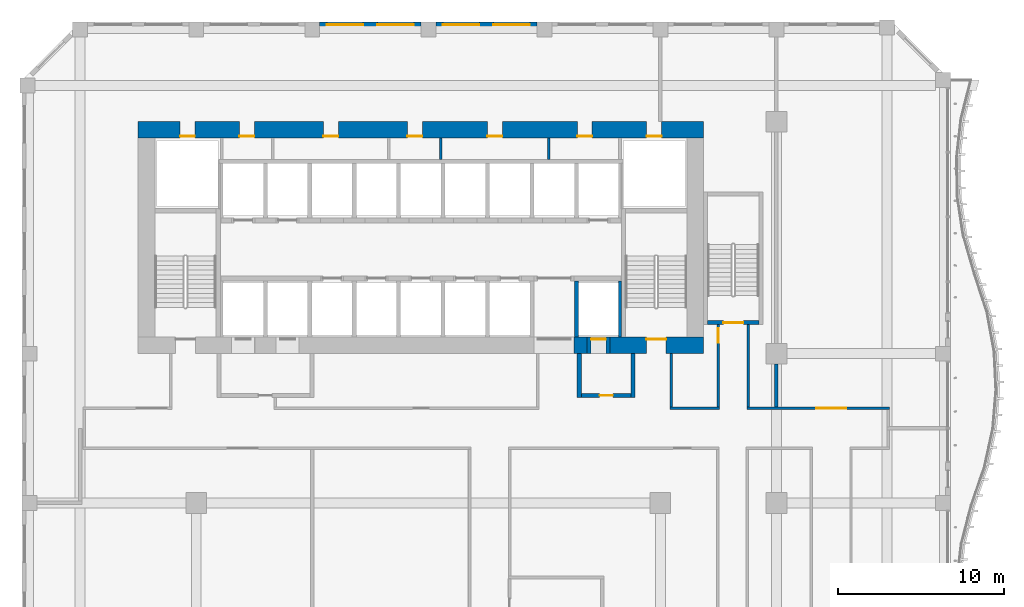
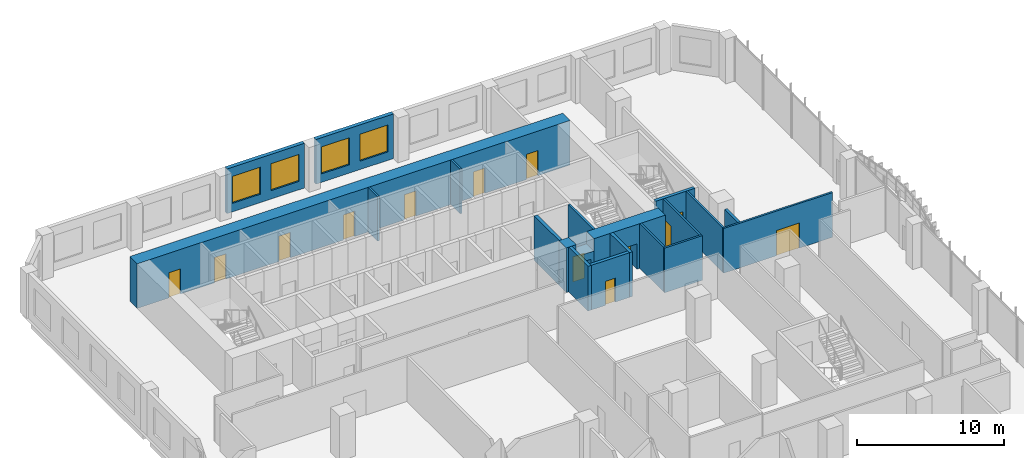
# One storey, part 17 of 28: 20 walls, 13 doors, 4 windows, 17 openings.
"""IFC4 building model written with IfcOpenShell, lengths in metres."""

from ifc_helpers import new_model, si_unit, direction, frame, frame_2d, origin, place, context, subcontext, project, spatial, rectangle, extrude, source, transform, mapped, material, layer, layer_set, type_object, element, fill, save


model = new_model("IFC4")

# Units and contexts
model_context = context("Model", 3, precision=1e-05, world=origin(), true_north=direction((0.0, 1.0)))
body_context = subcontext(model_context, "Body", "Model", "MODEL_VIEW")
ifc_project = project(units=[si_unit("LENGTHUNIT", "METRE"), si_unit("AREAUNIT", "SQUARE_METRE"), si_unit("VOLUMEUNIT", "CUBIC_METRE"), si_unit("PLANEANGLEUNIT", "RADIAN"), si_unit("MASSUNIT", "GRAM", prefix="KILO")], contexts=[model_context])

# Site, building, storey
site_placement = place(None, origin())
site = spatial("IfcSite", under=ifc_project, at=site_placement, CompositionType="ELEMENT")
building_placement = place(site_placement, origin())
building = spatial("IfcBuilding", under=site, at=building_placement, Name="Kilnfold Tower and Market Hall", CompositionType="ELEMENT")
storey_placement = place(building_placement, frame((0.0, 0.0, 75.199951171875)))
storey = spatial("IfcBuildingStorey", under=building, at=storey_placement, Name="L17", CompositionType="ELEMENT", Elevation=75.199951171875)

# Walls
ifc_material_1 = material(Name="Gypsum board on steel studs", Category="steel")
ifc_layer_1 = layer(ifc_material_1, 0.14990234375)
ifc_layer_set_1 = layer_set([ifc_layer_1], Name="Gypsum board on steel studs")
wall_type_1 = type_object("IfcWallType", Name="WALL CORRIDOR 150", PredefinedType="PARTITIONING", material=ifc_layer_set_1)
wall_1_placement = place(storey_placement, frame((16.14990234375, 4.77490234375, 0.0), z_axis=(0.0, 0.0, 1.0), x_axis=(0.0, 1.0, 0.0)))
element("IfcWall", 1, at=wall_1_placement, inside=storey, type_object=wall_type_1, Name="Partition LY13.25", PredefinedType="PARTITIONING", context=body_context, shape_type="SweptSolid", body=[
    extrude(rectangle(XDim=3.22509765625, YDim=0.14990234375, at=frame_2d((1.612548828125, 0.0))), origin(), (0.0, 0.0, 1.0), 3.719970703125),
])
wall_2_placement = place(storey_placement, frame((16.074951171875, 4.699951171875, 0.0), z_axis=(0.0, 0.0, 1.0), x_axis=(1.0, 0.0, 0.0)))
element("IfcWall", 2, at=wall_2_placement, inside=storey, type_object=wall_type_1, Name="Partition LY13.26", PredefinedType="PARTITIONING", context=body_context, shape_type="SweptSolid", body=[
    extrude(rectangle(XDim=3.0, YDim=0.14990234375, at=frame_2d((1.5, 0.0))), origin(), (0.0, 0.0, 1.0), 3.719970703125),
])

# Wall, opening, door
wall_3_placement = place(storey_placement, frame((19.0, 9.75, 0.0), z_axis=(0.0, 0.0, 1.0), x_axis=(0.0, -1.0, 0.0)))
wall_3 = element("IfcWall", 3, at=wall_3_placement, inside=storey, type_object=wall_type_1, Name="Partition LY13.27", PredefinedType="PARTITIONING", context=body_context, shape_type="SweptSolid", body=[
    extrude(rectangle(XDim=4.97509765625, YDim=0.14990234375, at=frame_2d((2.487548828125, 0.0))), origin(), (0.0, 0.0, 1.0), 3.719970703125),
])
opening_1_placement = place(wall_3_placement, frame((0.199951171875, 0.0, 0.0)))
opening_1 = element("IfcOpeningElement", 4, at=opening_1_placement, cuts=wall_3, Name="Opening D2", PredefinedType="OPENING", context=body_context, shape_type="SweptSolid", body=[
    extrude(rectangle(XDim=0.89990234375, YDim=2.10009765625, at=frame_2d((0.449951171875, 1.050048828125))), frame((0.0, 0.0849609375, 0.0), z_axis=(0.0, -1.0, 0.0), x_axis=(1.0, 0.0, 0.0)), (0.0, 0.0, 1.0), 0.169921875),
])
ifc_material_2 = material(Name="Timber veneer door leaf in steel frame", Category="steel")
door_type_1 = type_object("IfcDoorType", Name="DOOR ROOM 900 X2100", OperationType="NOTDEFINED", PredefinedType="DOOR", material=ifc_material_2)
door_1_placement = place(opening_1_placement, origin())
door_1 = element("IfcDoor", 5, at=door_1_placement, inside=storey, type_object=door_type_1, Name="Door D2", OperationType="SINGLE_SWING_LEFT", OverallHeight=2.10009765625, OverallWidth=0.89990234375, PredefinedType="DOOR", context=body_context, shape_type="SweptSolid", body=[
    extrude(rectangle(XDim=0.89990234375, YDim=2.10009765625, at=frame_2d((0.449951171875, 1.050048828125))), frame((0.0, 0.02490234375, 0.0), z_axis=(0.0, -1.0, 0.0), x_axis=(1.0, 0.0, 0.0)), (0.0, 0.0, 1.0), 0.050048828125),
])
fill(opening_1, door_1)

# Wall
wall_4_placement = place(storey_placement, frame((20.800048828125, 4.77490234375, 0.0), z_axis=(0.0, 0.0, 1.0), x_axis=(0.0, 1.0, 0.0)))
element("IfcWall", 6, at=wall_4_placement, inside=storey, type_object=wall_type_1, Name="Partition LY13.28", PredefinedType="PARTITIONING", context=body_context, shape_type="SweptSolid", body=[
    extrude(rectangle(XDim=4.97509765625, YDim=0.14990234375, at=frame_2d((2.487548828125, 0.0))), origin(), (0.0, 0.0, 1.0), 3.719970703125),
])

# Wall, opening, door
wall_5_placement = place(storey_placement, frame((20.72509765625, 4.699951171875, 0.0), z_axis=(0.0, 0.0, 1.0), x_axis=(1.0, 0.0, 0.0)))
wall_5 = element("IfcWall", 7, at=wall_5_placement, inside=storey, type_object=wall_type_1, Name="Partition LY13.29", PredefinedType="PARTITIONING", context=body_context, shape_type="SweptSolid", body=[
    extrude(rectangle(XDim=8.599853515625, YDim=0.14990234375, at=frame_2d((4.2998046875, 0.0))), origin(), (0.0, 0.0, 1.0), 3.719970703125),
])
opening_2_placement = place(wall_5_placement, frame((4.181884765625, 0.0, 0.0)))
opening_2 = element("IfcOpeningElement", 8, at=opening_2_placement, cuts=wall_5, Name="Opening D5", PredefinedType="OPENING", context=body_context, shape_type="SweptSolid", body=[
    extrude(rectangle(XDim=1.800048828125, YDim=2.10009765625, at=frame_2d((0.89990234375, 1.050048828125))), frame((0.0, 0.0849609375, 0.0), z_axis=(0.0, -1.0, 0.0), x_axis=(1.0, 0.0, 0.0)), (0.0, 0.0, 1.0), 0.169921875),
])
ifc_material_3 = material(Name="Timber veneer door leaf in steel frame", Category="steel")
door_type_2 = type_object("IfcDoorType", Name="DOOR DOUBLE 1800 X2100", OperationType="NOTDEFINED", PredefinedType="DOOR", material=ifc_material_3)
door_2_placement = place(opening_2_placement, origin())
door_2 = element("IfcDoor", 9, at=door_2_placement, inside=storey, type_object=door_type_2, Name="Door D5", OperationType="DOUBLE_DOOR_SINGLE_SWING", OverallHeight=2.10009765625, OverallWidth=1.800048828125, PredefinedType="DOOR", context=body_context, shape_type="SweptSolid", body=[
    extrude(rectangle(XDim=1.800048828125, YDim=2.10009765625, at=frame_2d((0.89990234375, 1.050048828125))), frame((0.0, 0.02490234375, 0.0), z_axis=(0.0, -1.0, 0.0), x_axis=(1.0, 0.0, 0.0)), (0.0, 0.0, 1.0), 0.050048828125),
])
fill(opening_2, door_2)

# Walls
ifc_material_4 = material(Name="Gypsum board on steel studs", Category="steel")
ifc_layer_2 = layer(ifc_material_4, 0.199951171875)
ifc_layer_set_2 = layer_set([ifc_layer_2], Name="Gypsum board on steel studs")
wall_type_2 = type_object("IfcWallType", Name="WALL PARTY 200", PredefinedType="PARTITIONING", material=ifc_layer_set_2)
wall_6_placement = place(storey_placement, frame((22.5, 4.77587890625, 0.0), z_axis=(0.0, 0.0, 1.0), x_axis=(0.0, 1.0, 0.0)))
element("IfcWall", 10, at=wall_6_placement, inside=storey, type_object=wall_type_2, Name="Partition LY13.59", PredefinedType="PARTITIONING", context=body_context, shape_type="SweptSolid", body=[
    extrude(rectangle(XDim=2.59912109375, YDim=0.199951171875, at=frame_2d((1.299560546875, 0.0))), origin(), (0.0, 0.0, 1.0), 3.070068359375),
])
ifc_material_5 = material(Name="Concrete C80", Category="concrete")
ifc_layer_3 = layer(ifc_material_5, 1.0)
ifc_layer_set_3 = layer_set([ifc_layer_3], Name="Concrete C80")
wall_type_3 = type_object("IfcWallType", Name="CORE WALL 1000 C80", PredefinedType="SHEAR", material=ifc_layer_set_3)
shared_shape_1 = source(origin(), body_context, "Body", "SweptSolid", [
    extrude(rectangle(XDim=0.780029296875, YDim=1.0, at=frame_2d((0.39013671875, 0.0))), origin(), (0.0, 0.0, 1.0), 3.719970703125),
])
wall_7_placement = place(storey_placement, frame((10.2900390625, 8.5, 0.0), z_axis=(0.0, 0.0, 1.0), x_axis=(1.0, 0.0, 0.0)))
element("IfcWall", 11, at=wall_7_placement, inside=storey, type_object=wall_type_3, Name="Core outer wall south", PredefinedType="SHEAR", context=body_context, shape_type="MappedRepresentation", body=[
    mapped(shared_shape_1, transform((0.0, 0.0, 0.0))),
])

# Wall, opening, door
shared_shape_2 = source(origin(), body_context, "Body", "SweptSolid", [
    extrude(rectangle(XDim=5.630126953125, YDim=1.0, at=frame_2d((2.81494140625, 0.0))), origin(), (0.0, 0.0, 1.0), 3.719970703125),
])
wall_8_placement = place(storey_placement, frame((12.469970703125, 8.5, 0.0), z_axis=(0.0, 0.0, 1.0), x_axis=(1.0, 0.0, 0.0)))
wall_8 = element("IfcWall", 12, at=wall_8_placement, inside=storey, type_object=wall_type_3, Name="Core outer wall south", PredefinedType="SHEAR", context=body_context, shape_type="MappedRepresentation", body=[
    mapped(shared_shape_2, transform((0.0, 0.0, 0.0))),
])
opening_3_placement = place(wall_8_placement, frame((2.179931640625, 0.0, 0.0)))
opening_3 = element("IfcOpeningElement", 13, at=opening_3_placement, cuts=wall_8, Name="Opening SD1", PredefinedType="OPENING", context=body_context, shape_type="SweptSolid", body=[
    extrude(rectangle(XDim=1.199951171875, YDim=2.10009765625, at=frame_2d((0.60009765625, 1.050048828125))), frame((0.0, 0.510009765625, 0.0), z_axis=(0.0, -1.0, 0.0), x_axis=(1.0, 0.0, 0.0)), (0.0, 0.0, 1.0), 1.02001953125),
])
ifc_material_6 = material(Name="Steel door set with fire-resisting leaf", Category="steel")
door_type_3 = type_object("IfcDoorType", Name="STAIR FLOOR DOOR 1200X2100", OperationType="NOTDEFINED", PredefinedType="DOOR", material=ifc_material_6)
door_3_placement = place(opening_3_placement, origin())
door_3 = element("IfcDoor", 14, at=door_3_placement, inside=storey, type_object=door_type_3, Name="Exit stair ST2 door", OperationType="DOUBLE_DOOR_SINGLE_SWING", OverallHeight=2.10009765625, OverallWidth=1.199951171875, PredefinedType="DOOR", context=body_context, shape_type="SweptSolid", body=[
    extrude(rectangle(XDim=1.199951171875, YDim=2.10009765625, at=frame_2d((0.60009765625, 1.050048828125))), frame((0.0, 0.40478515625, 0.0), z_axis=(0.0, -1.0, 0.0), x_axis=(1.0, 0.0, 0.0)), (0.0, 0.0, 1.0), 0.050048828125),
])
fill(opening_3, door_3)

# Wall, openings, doors
shared_shape_3 = source(origin(), body_context, "Body", "SweptSolid", [
    extrude(rectangle(XDim=34.10009765625, YDim=1.0, at=frame_2d((17.050048828125, 0.0))), origin(), (0.0, 0.0, 1.0), 3.719970703125),
])
wall_9_placement = place(storey_placement, frame((-16.0, 21.5, 0.0), z_axis=(0.0, 0.0, 1.0), x_axis=(1.0, 0.0, 0.0)))
wall_9 = element("IfcWall", 15, at=wall_9_placement, inside=storey, type_object=wall_type_3, Name="Core outer wall north", PredefinedType="SHEAR", context=body_context, shape_type="MappedRepresentation", body=[
    mapped(shared_shape_3, transform((0.0, 0.0, 0.0))),
])
opening_4_placement = place(wall_9_placement, frame((6.10791015625, 0.0, 0.0)))
opening_4 = element("IfcOpeningElement", 16, at=opening_4_placement, cuts=wall_9, Name="Opening KD1", PredefinedType="OPENING", context=body_context, shape_type="SweptSolid", body=[
    extrude(rectangle(XDim=0.89990234375, YDim=2.10009765625, at=frame_2d((0.449951171875, 1.050048828125))), frame((0.0, 0.510009765625, 0.0), z_axis=(0.0, -1.0, 0.0), x_axis=(1.0, 0.0, 0.0)), (0.0, 0.0, 1.0), 1.02001953125),
])
opening_5_placement = place(wall_9_placement, frame((11.173095703125, 0.0, 0.0)))
opening_5 = element("IfcOpeningElement", 17, at=opening_5_placement, cuts=wall_9, Name="Opening KD1", PredefinedType="OPENING", context=body_context, shape_type="SweptSolid", body=[
    extrude(rectangle(XDim=0.89990234375, YDim=2.10009765625, at=frame_2d((0.449951171875, 1.050048828125))), frame((0.0, 0.510009765625, 0.0), z_axis=(0.0, -1.0, 0.0), x_axis=(1.0, 0.0, 0.0)), (0.0, 0.0, 1.0), 1.02001953125),
])
opening_6_placement = place(wall_9_placement, frame((16.23828125, 0.0, 0.0)))
opening_6 = element("IfcOpeningElement", 18, at=opening_6_placement, cuts=wall_9, Name="Opening KD1", PredefinedType="OPENING", context=body_context, shape_type="SweptSolid", body=[
    extrude(rectangle(XDim=0.89990234375, YDim=2.10009765625, at=frame_2d((0.449951171875, 1.050048828125))), frame((0.0, 0.510009765625, 0.0), z_axis=(0.0, -1.0, 0.0), x_axis=(1.0, 0.0, 0.0)), (0.0, 0.0, 1.0), 1.02001953125),
])
opening_7_placement = place(wall_9_placement, frame((21.062255859375, 0.0, 0.0)))
opening_7 = element("IfcOpeningElement", 19, at=opening_7_placement, cuts=wall_9, Name="Opening KD1", PredefinedType="OPENING", context=body_context, shape_type="SweptSolid", body=[
    extrude(rectangle(XDim=0.89990234375, YDim=2.10009765625, at=frame_2d((0.449951171875, 1.050048828125))), frame((0.0, 0.510009765625, 0.0), z_axis=(0.0, -1.0, 0.0), x_axis=(1.0, 0.0, 0.0)), (0.0, 0.0, 1.0), 1.02001953125),
])
opening_8_placement = place(wall_9_placement, frame((26.4892578125, 0.0, 0.0)))
opening_8 = element("IfcOpeningElement", 20, at=opening_8_placement, cuts=wall_9, Name="Opening KD1", PredefinedType="OPENING", context=body_context, shape_type="SweptSolid", body=[
    extrude(rectangle(XDim=0.89990234375, YDim=2.10009765625, at=frame_2d((0.449951171875, 1.050048828125))), frame((0.0, 0.510009765625, 0.0), z_axis=(0.0, -1.0, 0.0), x_axis=(1.0, 0.0, 0.0)), (0.0, 0.0, 1.0), 1.02001953125),
])
opening_9_placement = place(wall_9_placement, frame((2.52490234375, 0.0, 0.0)))
opening_9 = element("IfcOpeningElement", 21, at=opening_9_placement, cuts=wall_9, Name="Opening KD1", PredefinedType="OPENING", context=body_context, shape_type="SweptSolid", body=[
    extrude(rectangle(XDim=0.89990234375, YDim=2.10009765625, at=frame_2d((0.449951171875, 1.050048828125))), frame((0.0, 0.510009765625, 0.0), z_axis=(0.0, -1.0, 0.0), x_axis=(1.0, 0.0, 0.0)), (0.0, 0.0, 1.0), 1.02001953125),
])
opening_10_placement = place(wall_9_placement, frame((30.675048828125, 0.0, 0.0)))
opening_10 = element("IfcOpeningElement", 22, at=opening_10_placement, cuts=wall_9, Name="Opening KD1", PredefinedType="OPENING", context=body_context, shape_type="SweptSolid", body=[
    extrude(rectangle(XDim=0.89990234375, YDim=2.10009765625, at=frame_2d((0.449951171875, 1.050048828125))), frame((0.0, 0.510009765625, 0.0), z_axis=(0.0, -1.0, 0.0), x_axis=(1.0, 0.0, 0.0)), (0.0, 0.0, 1.0), 1.02001953125),
])
ifc_material_7 = material(Name="Steel door set with fire-resisting leaf", Category="steel")
door_type_4 = type_object("IfcDoorType", Name="SERVICE DOOR 900X2100", OperationType="NOTDEFINED", PredefinedType="DOOR", material=ifc_material_7)
door_4_placement = place(opening_4_placement, origin())
door_4 = element("IfcDoor", 23, at=door_4_placement, inside=storey, type_object=door_type_4, Name="Core service door", OperationType="SINGLE_SWING_RIGHT", OverallHeight=2.10009765625, OverallWidth=0.89990234375, PredefinedType="DOOR", context=body_context, shape_type="SweptSolid", body=[
    extrude(rectangle(XDim=0.89990234375, YDim=2.10009765625, at=frame_2d((0.449951171875, 1.050048828125))), frame((0.0, -0.35498046875, 0.0), z_axis=(0.0, -1.0, 0.0), x_axis=(1.0, 0.0, 0.0)), (0.0, 0.0, 1.0), 0.050048828125),
])
fill(opening_4, door_4)
door_5_placement = place(opening_5_placement, origin())
door_5 = element("IfcDoor", 24, at=door_5_placement, inside=storey, type_object=door_type_4, Name="Core service door", OperationType="SINGLE_SWING_LEFT", OverallHeight=2.10009765625, OverallWidth=0.89990234375, PredefinedType="DOOR", context=body_context, shape_type="SweptSolid", body=[
    extrude(rectangle(XDim=0.89990234375, YDim=2.10009765625, at=frame_2d((0.449951171875, 1.050048828125))), frame((0.0, -0.35498046875, 0.0), z_axis=(0.0, -1.0, 0.0), x_axis=(1.0, 0.0, 0.0)), (0.0, 0.0, 1.0), 0.050048828125),
])
fill(opening_5, door_5)
door_6_placement = place(opening_6_placement, origin())
door_6 = element("IfcDoor", 25, at=door_6_placement, inside=storey, type_object=door_type_4, Name="Core service door", OperationType="SINGLE_SWING_RIGHT", OverallHeight=2.10009765625, OverallWidth=0.89990234375, PredefinedType="DOOR", context=body_context, shape_type="SweptSolid", body=[
    extrude(rectangle(XDim=0.89990234375, YDim=2.10009765625, at=frame_2d((0.449951171875, 1.050048828125))), frame((0.0, -0.35498046875, 0.0), z_axis=(0.0, -1.0, 0.0), x_axis=(1.0, 0.0, 0.0)), (0.0, 0.0, 1.0), 0.050048828125),
])
fill(opening_6, door_6)
door_7_placement = place(opening_7_placement, origin())
door_7 = element("IfcDoor", 26, at=door_7_placement, inside=storey, type_object=door_type_4, Name="Core service door", OperationType="SINGLE_SWING_LEFT", OverallHeight=2.10009765625, OverallWidth=0.89990234375, PredefinedType="DOOR", context=body_context, shape_type="SweptSolid", body=[
    extrude(rectangle(XDim=0.89990234375, YDim=2.10009765625, at=frame_2d((0.449951171875, 1.050048828125))), frame((0.0, -0.35498046875, 0.0), z_axis=(0.0, -1.0, 0.0), x_axis=(1.0, 0.0, 0.0)), (0.0, 0.0, 1.0), 0.050048828125),
])
fill(opening_7, door_7)
door_8_placement = place(opening_8_placement, origin())
door_8 = element("IfcDoor", 27, at=door_8_placement, inside=storey, type_object=door_type_4, Name="Core service door", OperationType="SINGLE_SWING_RIGHT", OverallHeight=2.10009765625, OverallWidth=0.89990234375, PredefinedType="DOOR", context=body_context, shape_type="SweptSolid", body=[
    extrude(rectangle(XDim=0.89990234375, YDim=2.10009765625, at=frame_2d((0.449951171875, 1.050048828125))), frame((0.0, -0.35498046875, 0.0), z_axis=(0.0, -1.0, 0.0), x_axis=(1.0, 0.0, 0.0)), (0.0, 0.0, 1.0), 0.050048828125),
])
fill(opening_8, door_8)
door_9_placement = place(opening_9_placement, origin())
door_9 = element("IfcDoor", 28, at=door_9_placement, inside=storey, type_object=door_type_4, Name="Electrical riser access door", OperationType="SINGLE_SWING_LEFT", OverallHeight=2.10009765625, OverallWidth=0.89990234375, PredefinedType="DOOR", context=body_context, shape_type="SweptSolid", body=[
    extrude(rectangle(XDim=0.89990234375, YDim=2.10009765625, at=frame_2d((0.449951171875, 1.050048828125))), frame((0.0, -0.35498046875, 0.0), z_axis=(0.0, -1.0, 0.0), x_axis=(1.0, 0.0, 0.0)), (0.0, 0.0, 1.0), 0.050048828125),
])
fill(opening_9, door_9)
door_10_placement = place(opening_10_placement, origin())
door_10 = element("IfcDoor", 29, at=door_10_placement, inside=storey, type_object=door_type_4, Name="Mechanical riser access door", OperationType="SINGLE_SWING_RIGHT", OverallHeight=2.10009765625, OverallWidth=0.89990234375, PredefinedType="DOOR", context=body_context, shape_type="SweptSolid", body=[
    extrude(rectangle(XDim=0.89990234375, YDim=2.10009765625, at=frame_2d((0.449951171875, 1.050048828125))), frame((0.0, -0.35498046875, 0.0), z_axis=(0.0, -1.0, 0.0), x_axis=(1.0, 0.0, 0.0)), (0.0, 0.0, 1.0), 0.050048828125),
])
fill(opening_10, door_10)

# Wall, opening, door
ifc_material_8 = material(Name="Concrete C80", Category="concrete")
ifc_layer_4 = layer(ifc_material_8, 0.25)
ifc_layer_set_4 = layer_set([ifc_layer_4], Name="Concrete C80")
wall_type_4 = type_object("IfcWallType", Name="CORE WALL 250 C80", PredefinedType="SHEAR", material=ifc_layer_set_4)
shared_shape_4 = source(origin(), body_context, "Body", "SweptSolid", [
    extrude(rectangle(XDim=3.099853515625, YDim=0.25, at=frame_2d((1.5498046875, 0.0))), origin(), (0.0, 0.0, 1.0), 3.719970703125),
])
wall_10_placement = place(storey_placement, frame((18.35009765625, 9.875, 0.0), z_axis=(0.0, 0.0, 1.0), x_axis=(1.0, 0.0, 0.0)))
wall_10 = element("IfcWall", 30, at=wall_10_placement, inside=storey, type_object=wall_type_4, Name="Stair enclosure ST5", PredefinedType="SHEAR", context=body_context, shape_type="MappedRepresentation", body=[
    mapped(shared_shape_4, transform((0.0, 0.0, 0.0))),
])
opening_11_placement = place(wall_10_placement, frame((0.949951171875, 0.0, 0.0)))
opening_11 = element("IfcOpeningElement", 31, at=opening_11_placement, cuts=wall_10, Name="Opening SD1", PredefinedType="OPENING", context=body_context, shape_type="SweptSolid", body=[
    extrude(rectangle(XDim=1.199951171875, YDim=2.10009765625, at=frame_2d((0.60009765625, 1.050048828125))), frame((0.0, 0.135009765625, 0.0), z_axis=(0.0, -1.0, 0.0), x_axis=(1.0, 0.0, 0.0)), (0.0, 0.0, 1.0), 0.27001953125),
])
door_11_placement = place(opening_11_placement, origin())
door_11 = element("IfcDoor", 32, at=door_11_placement, inside=storey, type_object=door_type_3, Name="Exit stair ST5 door", OperationType="DOUBLE_DOOR_SINGLE_SWING", OverallHeight=2.10009765625, OverallWidth=1.199951171875, PredefinedType="DOOR", context=body_context, shape_type="SweptSolid", body=[
    extrude(rectangle(XDim=1.199951171875, YDim=2.10009765625, at=frame_2d((0.60009765625, 1.050048828125))), frame((0.0, 0.02490234375, 0.0), z_axis=(0.0, -1.0, 0.0), x_axis=(1.0, 0.0, 0.0)), (0.0, 0.0, 1.0), 0.050048828125),
])
fill(opening_11, door_11)

# Wall, openings, windows
ifc_material_9 = material(Name="Precast concrete C50/60", Category="concrete")
ifc_layer_5 = layer(ifc_material_9, 0.300048828125)
ifc_layer_set_5 = layer_set([ifc_layer_5], Name="Precast concrete C50/60")
wall_type_5 = type_object("IfcWallType", Name="PRECAST WALL 300", PredefinedType="SOLIDWALL", material=ifc_layer_set_5)
shared_shape_5 = source(origin(), body_context, "Body", "SweptSolid", [
    extrude(rectangle(XDim=6.10009765625, YDim=0.300048828125, at=frame_2d((3.050048828125, 0.0))), origin(), (0.0, 0.0, 1.0), 3.719970703125),
])
wall_11_placement = place(storey_placement, frame((8.050048828125, 27.85009765625, 0.0), z_axis=(0.0, 0.0, 1.0), x_axis=(-1.0, 0.0, 0.0)))
wall_11 = element("IfcWall", 33, at=wall_11_placement, inside=storey, type_object=wall_type_5, Name="External wall L17 N", PredefinedType="SOLIDWALL", context=body_context, shape_type="MappedRepresentation", body=[
    mapped(shared_shape_5, transform((0.0, 0.0, 0.0))),
])
opening_12_placement = place(wall_11_placement, frame((0.425048828125, 0.0, 0.699951171875)))
opening_12 = element("IfcOpeningElement", 34, at=opening_12_placement, cuts=wall_11, Name="Opening W1", PredefinedType="OPENING", context=body_context, shape_type="SweptSolid", body=[
    extrude(rectangle(XDim=2.199951171875, YDim=2.25, at=frame_2d((1.10009765625, 1.125))), frame((0.0, 0.16015625, 0.0), z_axis=(0.0, -1.0, 0.0), x_axis=(1.0, 0.0, 0.0)), (0.0, 0.0, 1.0), 0.320068359375),
])
opening_13_placement = place(wall_11_placement, frame((3.47509765625, 0.0, 0.699951171875)))
opening_13 = element("IfcOpeningElement", 35, at=opening_13_placement, cuts=wall_11, Name="Opening W1", PredefinedType="OPENING", context=body_context, shape_type="SweptSolid", body=[
    extrude(rectangle(XDim=2.199951171875, YDim=2.25, at=frame_2d((1.10009765625, 1.125))), frame((0.0, 0.16015625, 0.0), z_axis=(0.0, -1.0, 0.0), x_axis=(1.0, 0.0, 0.0)), (0.0, 0.0, 1.0), 0.320068359375),
])
ifc_material_10 = material(Name="Aluminium frame and double glazing", Category="aluminium")
window_type = type_object("IfcWindowType", Name="WINDOW W1 2200X2250", PartitioningType="SINGLE_PANEL", PredefinedType="WINDOW", material=ifc_material_10)
window_1_placement = place(opening_12_placement, origin())
window_1 = element("IfcWindow", 36, at=window_1_placement, inside=storey, type_object=window_type, Name="Window W1 L17 N-1", OverallHeight=2.25, OverallWidth=2.199951171875, PartitioningType="SINGLE_PANEL", PredefinedType="WINDOW", context=body_context, shape_type="SweptSolid", body=[
    extrude(rectangle(XDim=2.199951171875, YDim=2.25, at=frame_2d((1.10009765625, 1.125))), frame((0.0, 0.030029296875, 0.0), z_axis=(0.0, -1.0, 0.0), x_axis=(1.0, 0.0, 0.0)), (0.0, 0.0, 1.0), 0.06005859375),
])
fill(opening_12, window_1)
window_2_placement = place(opening_13_placement, origin())
window_2 = element("IfcWindow", 37, at=window_2_placement, inside=storey, type_object=window_type, Name="Window W1 L17 N-2", OverallHeight=2.25, OverallWidth=2.199951171875, PartitioningType="SINGLE_PANEL", PredefinedType="WINDOW", context=body_context, shape_type="SweptSolid", body=[
    extrude(rectangle(XDim=2.199951171875, YDim=2.25, at=frame_2d((1.10009765625, 1.125))), frame((0.0, 0.030029296875, 0.0), z_axis=(0.0, -1.0, 0.0), x_axis=(1.0, 0.0, 0.0)), (0.0, 0.0, 1.0), 0.06005859375),
])
fill(opening_13, window_2)

wall_12_placement = place(storey_placement, frame((1.050048828125, 27.85009765625, 0.0), z_axis=(0.0, 0.0, 1.0), x_axis=(-1.0, 0.0, 0.0)))
wall_12 = element("IfcWall", 38, at=wall_12_placement, inside=storey, type_object=wall_type_5, Name="External wall L17 N", PredefinedType="SOLIDWALL", context=body_context, shape_type="MappedRepresentation", body=[
    mapped(shared_shape_5, transform((0.0, 0.0, 0.0))),
])
opening_14_placement = place(wall_12_placement, frame((0.425048828125, 0.0, 0.699951171875)))
opening_14 = element("IfcOpeningElement", 39, at=opening_14_placement, cuts=wall_12, Name="Opening W1", PredefinedType="OPENING", context=body_context, shape_type="SweptSolid", body=[
    extrude(rectangle(XDim=2.199951171875, YDim=2.25, at=frame_2d((1.10009765625, 1.125))), frame((0.0, 0.16015625, 0.0), z_axis=(0.0, -1.0, 0.0), x_axis=(1.0, 0.0, 0.0)), (0.0, 0.0, 1.0), 0.320068359375),
])
opening_15_placement = place(wall_12_placement, frame((3.47509765625, 0.0, 0.699951171875)))
opening_15 = element("IfcOpeningElement", 40, at=opening_15_placement, cuts=wall_12, Name="Opening W1", PredefinedType="OPENING", context=body_context, shape_type="SweptSolid", body=[
    extrude(rectangle(XDim=2.199951171875, YDim=2.25, at=frame_2d((1.10009765625, 1.125))), frame((0.0, 0.16015625, 0.0), z_axis=(0.0, -1.0, 0.0), x_axis=(1.0, 0.0, 0.0)), (0.0, 0.0, 1.0), 0.320068359375),
])
window_3_placement = place(opening_14_placement, origin())
window_3 = element("IfcWindow", 41, at=window_3_placement, inside=storey, type_object=window_type, Name="Window W1 L17 N-1", OverallHeight=2.25, OverallWidth=2.199951171875, PartitioningType="SINGLE_PANEL", PredefinedType="WINDOW", context=body_context, shape_type="SweptSolid", body=[
    extrude(rectangle(XDim=2.199951171875, YDim=2.25, at=frame_2d((1.10009765625, 1.125))), frame((0.0, 0.030029296875, 0.0), z_axis=(0.0, -1.0, 0.0), x_axis=(1.0, 0.0, 0.0)), (0.0, 0.0, 1.0), 0.06005859375),
])
fill(opening_14, window_3)
window_4_placement = place(opening_15_placement, origin())
window_4 = element("IfcWindow", 42, at=window_4_placement, inside=storey, type_object=window_type, Name="Window W1 L17 N-2", OverallHeight=2.25, OverallWidth=2.199951171875, PartitioningType="SINGLE_PANEL", PredefinedType="WINDOW", context=body_context, shape_type="SweptSolid", body=[
    extrude(rectangle(XDim=2.199951171875, YDim=2.25, at=frame_2d((1.10009765625, 1.125))), frame((0.0, 0.030029296875, 0.0), z_axis=(0.0, -1.0, 0.0), x_axis=(1.0, 0.0, 0.0)), (0.0, 0.0, 1.0), 0.06005859375),
])
fill(opening_15, window_4)

# Wall, opening, door
ifc_material_11 = material(Name="Gypsum shaft wall system")
ifc_layer_6 = layer(ifc_material_11, 1.0)
ifc_layer_set_6 = layer_set([ifc_layer_6], Name="Gypsum shaft wall system")
wall_type_6 = type_object("IfcWallType", Name="LOBBY WALL 1000", PredefinedType="PARTITIONING", material=ifc_layer_set_6)
shared_shape_6 = source(origin(), body_context, "Body", "SweptSolid", [
    extrude(rectangle(XDim=1.39990234375, YDim=1.0, at=frame_2d((0.699951171875, 0.0))), origin(), (0.0, 0.0, 1.0), 2.699951171875),
])
wall_13_placement = place(storey_placement, frame((11.070068359375, 8.5, 0.0), z_axis=(0.0, 0.0, 1.0), x_axis=(1.0, 0.0, 0.0)))
wall_13 = element("IfcWall", 43, at=wall_13_placement, inside=storey, type_object=wall_type_6, Name="Core wall infill", PredefinedType="PARTITIONING", context=body_context, shape_type="MappedRepresentation", body=[
    mapped(shared_shape_6, transform((0.0, 0.0, 0.0))),
])
opening_16_placement = place(wall_13_placement, frame((0.25, 0.0, 0.0)))
opening_16 = element("IfcOpeningElement", 44, at=opening_16_placement, cuts=wall_13, Name="Opening LD1", PredefinedType="OPENING", context=body_context, shape_type="SweptSolid", body=[
    extrude(rectangle(XDim=0.89990234375, YDim=2.10009765625, at=frame_2d((0.449951171875, 1.050048828125))), frame((0.0, 0.510009765625, 0.0), z_axis=(0.0, -1.0, 0.0), x_axis=(1.0, 0.0, 0.0)), (0.0, 0.0, 1.0), 1.02001953125),
])
ifc_material_12 = material(Name="Steel door set with fire-resisting leaf", Category="steel")
door_type_5 = type_object("IfcDoorType", Name="FIREFIGHTING LANDING DOOR 900X2100", OperationType="NOTDEFINED", PredefinedType="DOOR", material=ifc_material_12)
door_12_placement = place(opening_16_placement, origin())
door_12 = element("IfcDoor", 45, at=door_12_placement, inside=storey, type_object=door_type_5, Name="Landing door FF3", OperationType="SLIDING_TO_LEFT", OverallHeight=2.10009765625, OverallWidth=0.89990234375, PredefinedType="DOOR", context=body_context, shape_type="SweptSolid", body=[
    extrude(rectangle(XDim=0.89990234375, YDim=2.10009765625, at=frame_2d((0.449951171875, 1.050048828125))), frame((0.0, 0.40478515625, 0.0), z_axis=(0.0, -1.0, 0.0), x_axis=(1.0, 0.0, 0.0)), (0.0, 0.0, 1.0), 0.050048828125),
])
fill(opening_16, door_12)

# Walls
ifc_material_13 = material(Name="Gypsum shaft wall system")
ifc_layer_7 = layer(ifc_material_13, 0.25)
ifc_layer_set_7 = layer_set([ifc_layer_7], Name="Gypsum shaft wall system")
wall_type_7 = type_object("IfcWallType", Name="LOBBY WALL 250", PredefinedType="PARTITIONING", material=ifc_layer_set_7)
shared_shape_7 = source(origin(), body_context, "Body", "SweptSolid", [
    extrude(rectangle(XDim=2.64990234375, YDim=0.25, at=frame_2d((1.324951171875, 0.0))), origin(), (0.0, 0.0, 1.0), 3.719970703125),
])
for number, where, z_axis, x_axis, name in (
    (46, (10.60498046875, 5.35009765625, 0.0), (0.0, 0.0, 1.0), (0.0, 1.0, 0.0), "Firefighting lobby wall"),
    (47, (13.85498046875, 5.35009765625, 0.0), (0.0, 0.0, 1.0), (0.0, 1.0, 0.0), "Firefighting lobby wall"),
):
    element("IfcWall", number, at=place(storey_placement, frame(where, z_axis=z_axis, x_axis=x_axis)), inside=storey, type_object=wall_type_7, Name=name, PredefinedType="PARTITIONING", context=body_context, shape_type="MappedRepresentation", body=[
        mapped(shared_shape_7, transform((0.0, 0.0, 0.0))),
    ])

# Wall, opening, door
shared_shape_8 = source(origin(), body_context, "Body", "SweptSolid", [
    extrude(rectangle(XDim=3.0, YDim=0.25, at=frame_2d((1.5, 0.0))), origin(), (0.0, 0.0, 1.0), 3.719970703125),
])
wall_14_placement = place(storey_placement, frame((10.72998046875, 5.47509765625, 0.0), z_axis=(0.0, 0.0, 1.0), x_axis=(1.0, 0.0, 0.0)))
wall_14 = element("IfcWall", 48, at=wall_14_placement, inside=storey, type_object=wall_type_7, Name="Firefighting lobby wall", PredefinedType="PARTITIONING", context=body_context, shape_type="MappedRepresentation", body=[
    mapped(shared_shape_8, transform((0.0, 0.0, 0.0))),
])
opening_17_placement = place(wall_14_placement, frame((1.10009765625, 0.0, 0.0)))
opening_17 = element("IfcOpeningElement", 49, at=opening_17_placement, cuts=wall_14, Name="Opening VD1", PredefinedType="OPENING", context=body_context, shape_type="SweptSolid", body=[
    extrude(rectangle(XDim=0.800048828125, YDim=2.0, at=frame_2d((0.39990234375, 1.0))), frame((0.0, 0.135009765625, 0.0), z_axis=(0.0, -1.0, 0.0), x_axis=(1.0, 0.0, 0.0)), (0.0, 0.0, 1.0), 0.27001953125),
])
ifc_material_14 = material(Name="Steel door set with fire-resisting leaf", Category="steel")
door_type_6 = type_object("IfcDoorType", Name="FIREFIGHTING LOBBY DOOR 800X2000", OperationType="NOTDEFINED", PredefinedType="DOOR", material=ifc_material_14)
door_13_placement = place(opening_17_placement, origin())
door_13 = element("IfcDoor", 50, at=door_13_placement, inside=storey, type_object=door_type_6, Name="Firefighting lobby door", OperationType="SINGLE_SWING_RIGHT", OverallHeight=2.0, OverallWidth=0.800048828125, PredefinedType="DOOR", context=body_context, shape_type="SweptSolid", body=[
    extrude(rectangle(XDim=0.800048828125, YDim=2.0, at=frame_2d((0.39990234375, 1.0))), frame((0.0, 0.02490234375, 0.0), z_axis=(0.0, -1.0, 0.0), x_axis=(1.0, 0.0, 0.0)), (0.0, 0.0, 1.0), 0.050048828125),
])
fill(opening_17, door_13)

# Walls
ifc_material_15 = material(Name="Gypsum shaft wall system")
ifc_layer_8 = layer(ifc_material_15, 0.25)
ifc_layer_set_8 = layer_set([ifc_layer_8], Name="Gypsum shaft wall system")
wall_type_8 = type_object("IfcWallType", Name="SHAFT WALL 250", PredefinedType="PARTITIONING", material=ifc_layer_set_8)
shared_shape_9 = source(origin(), body_context, "Body", "SweptSolid", [
    extrude(rectangle(XDim=3.39990234375, YDim=0.25, at=frame_2d((1.699951171875, 0.0))), origin(), (0.0, 0.0, 1.0), 3.719970703125),
])
wall_15_placement = place(storey_placement, frame((10.429931640625, 9.0, 0.0), z_axis=(0.0, 0.0, 1.0), x_axis=(0.0, 1.0, 0.0)))
element("IfcWall", 51, at=wall_15_placement, inside=storey, type_object=wall_type_8, Name="Lift shaft wall", PredefinedType="PARTITIONING", context=body_context, shape_type="MappedRepresentation", body=[
    mapped(shared_shape_9, transform((0.0, 0.0, 0.0))),
])
ifc_material_16 = material(Name="Gypsum shaft wall system")
ifc_layer_9 = layer(ifc_material_16, 0.1650390625)
ifc_layer_set_9 = layer_set([ifc_layer_9], Name="Gypsum shaft wall system")
wall_type_9 = type_object("IfcWallType", Name="SHAFT WALL 165", PredefinedType="PARTITIONING", material=ifc_layer_set_9)
shared_shape_10 = source(origin(), body_context, "Body", "SweptSolid", [
    extrude(rectangle(XDim=3.39990234375, YDim=0.1650390625, at=frame_2d((1.699951171875, 0.0))), origin(), (0.0, 0.0, 1.0), 3.719970703125),
])
wall_16_placement = place(storey_placement, frame((13.0673828125, 9.0, 0.0), z_axis=(0.0, 0.0, 1.0), x_axis=(0.0, 1.0, 0.0)))
element("IfcWall", 52, at=wall_16_placement, inside=storey, type_object=wall_type_9, Name="Lift shaft wall", PredefinedType="PARTITIONING", context=body_context, shape_type="MappedRepresentation", body=[
    mapped(shared_shape_10, transform((0.0, 0.0, 0.0))),
])
ifc_material_17 = material(Name="Gypsum shaft wall system")
ifc_layer_10 = layer(ifc_material_17, 0.14990234375)
ifc_layer_set_10 = layer_set([ifc_layer_10], Name="Gypsum shaft wall system")
wall_type_10 = type_object("IfcWallType", Name="ROOM WALL 150", PredefinedType="PARTITIONING", material=ifc_layer_set_10)
shared_shape_11 = source(origin(), body_context, "Body", "SweptSolid", [
    extrude(rectangle(XDim=1.27490234375, YDim=0.14990234375, at=frame_2d((0.637451171875, 0.0))), origin(), (0.0, 0.0, 1.0), 3.719970703125),
])
for number, where, z_axis, x_axis, name in (
    (53, (2.256103515625, 19.72509765625, 0.0), (0.0, 0.0, 1.0), (0.0, 1.0, 0.0), "Core room wall"),
    (54, (8.768310546875, 19.72509765625, 0.0), (0.0, 0.0, 1.0), (0.0, 1.0, 0.0), "Core room wall"),
):
    element("IfcWall", number, at=place(storey_placement, frame(where, z_axis=z_axis, x_axis=x_axis)), inside=storey, type_object=wall_type_10, Name=name, PredefinedType="PARTITIONING", context=body_context, shape_type="MappedRepresentation", body=[
        mapped(shared_shape_11, transform((0.0, 0.0, 0.0))),
    ])

save(model, "model.ifc")
